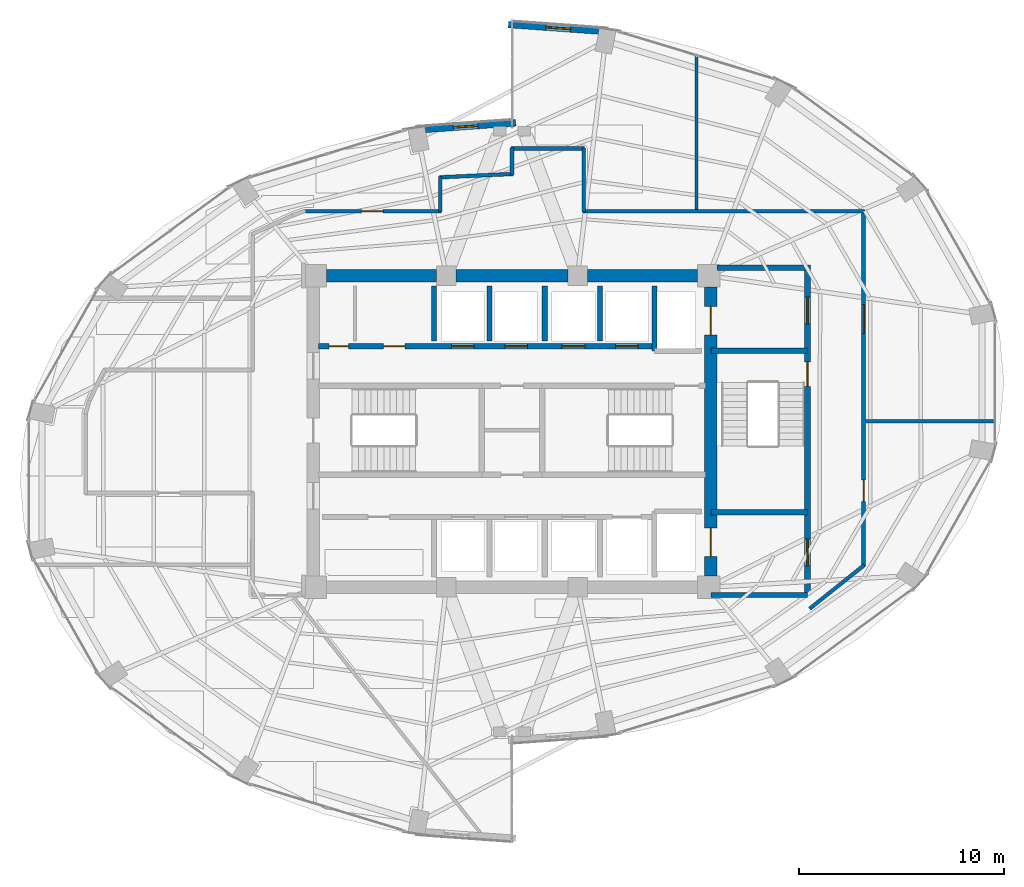
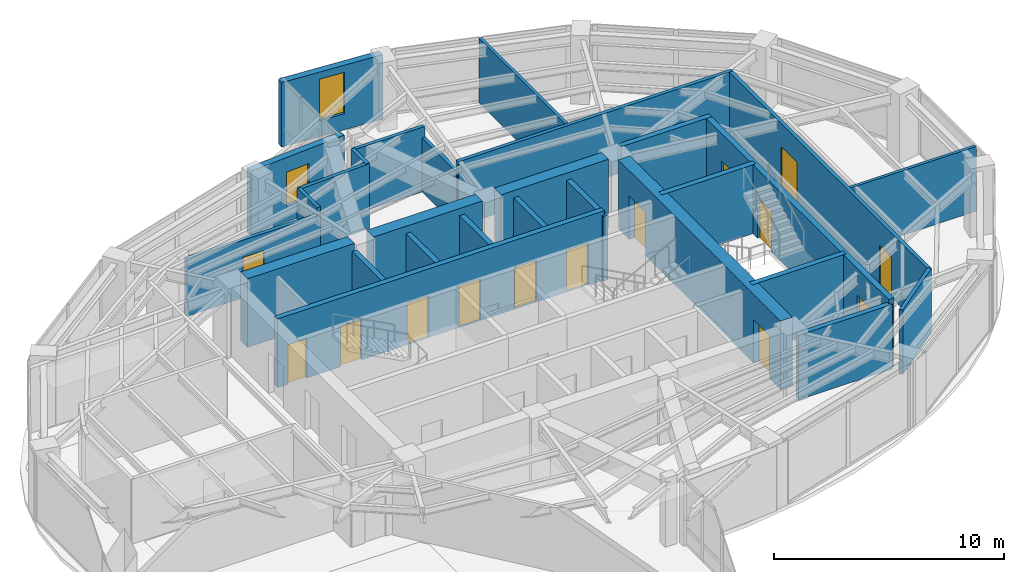
# One storey, part 17 of 20: 28 walls, 14 doors, 2 windows, 16 openings.
"""IFC4 building model written with IfcOpenShell, lengths in metres."""

from ifc_helpers import new_model, si_unit, direction, frame, frame_2d, origin, place, context, subcontext, project, spatial, rectangle, extrude, material, layer, layer_set, type_object, element, fill, save


model = new_model("IFC4")

# Units and contexts
model_context = context("Model", 3, precision=1e-05, world=origin(), true_north=direction((0.0, 1.0)))
body_context = subcontext(model_context, "Body", "Model", "MODEL_VIEW")
ifc_project = project(units=[si_unit("LENGTHUNIT", "METRE"), si_unit("AREAUNIT", "SQUARE_METRE"), si_unit("VOLUMEUNIT", "CUBIC_METRE"), si_unit("PLANEANGLEUNIT", "RADIAN"), si_unit("MASSUNIT", "GRAM", prefix="KILO")], contexts=[model_context])

# Site, building, storey
site_placement = place(None, origin())
site = spatial("IfcSite", under=ifc_project, at=site_placement, CompositionType="ELEMENT")
building_placement = place(site_placement, origin())
building = spatial("IfcBuilding", under=site, at=building_placement, Name="Lazwardi Medical Tower", CompositionType="ELEMENT")
storey_placement = place(building_placement, frame((0.0, 0.0, 152.8798828125)))
storey = spatial("IfcBuildingStorey", under=building, at=storey_placement, Name="L39", CompositionType="ELEMENT", Elevation=152.8798828125)

# Wall, opening, door
ifc_material_1 = material(Name="Fire-rated gypsum board on steel stud", Category="steel")
ifc_layer_1 = layer(ifc_material_1, 0.179931640625)
ifc_layer_set_1 = layer_set([ifc_layer_1], Name="Fire-rated gypsum board on steel stud")
wall_type_1 = type_object("IfcWallType", Name="WL-COR-180", PredefinedType="PARTITIONING", material=ifc_layer_set_1)
wall_1_placement = place(storey_placement, frame((25.842529296875, 38.75, 0.0), z_axis=(0.0, 0.0, 1.0), x_axis=(1.0, 0.0, 0.0)))
wall_1 = element("IfcWall", 1, at=wall_1_placement, inside=storey, type_object=wall_type_1, Name="L39 Corridor partition 6", PredefinedType="PARTITIONING", context=body_context, shape_type="SweptSolid", body=[
    extrude(rectangle(XDim=6.697509765625, YDim=0.179931640625, at=frame_2d((3.3486328125, 0.0))), origin(), (0.0, 0.0, 1.0), 3.05322265625),
])
opening_1_placement = place(wall_1_placement, frame((2.82373046875, 0.0, 0.0)))
opening_1 = element("IfcOpeningElement", 2, at=opening_1_placement, cuts=wall_1, Name="Opening D-L39-014", PredefinedType="OPENING", context=body_context, shape_type="SweptSolid", body=[
    extrude(rectangle(XDim=1.050048828125, YDim=2.14990234375, at=frame_2d((0.52490234375, 1.074951171875))), frame((0.0, 0.099853515625, 0.0), z_axis=(0.0, -1.0, 0.0), x_axis=(1.0, 0.0, 0.0)), (0.0, 0.0, 1.0), 0.199951171875),
])
ifc_material_2 = material(Name="Anti-microbial laminate hospital leaf")
door_type_1 = type_object("IfcDoorType", Name="DR-CLN-1050", OperationType="NOTDEFINED", PredefinedType="DOOR", material=ifc_material_2)
door_1_placement = place(opening_1_placement, origin())
door_1 = element("IfcDoor", 3, at=door_1_placement, inside=storey, type_object=door_type_1, Name="L39 Outpatient Clinic Door 05", OperationType="SINGLE_SWING_LEFT", OverallHeight=2.14990234375, OverallWidth=1.050048828125, PredefinedType="DOOR", context=body_context, shape_type="SweptSolid", body=[
    extrude(rectangle(XDim=1.050048828125, YDim=2.14990234375, at=frame_2d((0.52490234375, 1.074951171875))), frame((0.0, 0.02490234375, 0.0), z_axis=(0.0, -1.0, 0.0), x_axis=(1.0, 0.0, 0.0)), (0.0, 0.0, 1.0), 0.050048828125),
])
fill(opening_1, door_1)

# Walls
wall_2_placement = place(storey_placement, frame((32.5, 38.7099609375, 0.0), z_axis=(0.0, 0.0, 1.0), x_axis=(0.0, 1.0, 0.0)))
element("IfcWall", 4, at=wall_2_placement, inside=storey, type_object=wall_type_1, Name="L39 Corridor partition 7", PredefinedType="PARTITIONING", context=body_context, shape_type="SweptSolid", body=[
    extrude(rectangle(XDim=1.729248046875, YDim=0.179931640625, at=frame_2d((0.86474609375, 0.0))), origin(), (0.0, 0.0, 1.0), 3.42822265625),
])
wall_3_placement = place(storey_placement, frame((32.4599609375, 40.3974609375, 0.0), z_axis=(0.0, 0.0, 1.0), x_axis=(0.998948498694, 0.045846449783, 0.0)))
element("IfcWall", 5, at=wall_3_placement, inside=storey, type_object=wall_type_1, Name="L39 Corridor partition 8", PredefinedType="PARTITIONING", context=body_context, shape_type="SweptSolid", body=[
    extrude(rectangle(XDim=3.583740234375, YDim=0.179931640625, at=frame_2d((1.7919921875, 0.0))), origin(), (0.0, 0.0, 1.0), 3.42822265625),
])
wall_4_placement = place(storey_placement, frame((36.0, 40.52001953125, 0.0), z_axis=(0.0, 0.0, 1.0), x_axis=(0.0, 1.0, 0.0)))
element("IfcWall", 6, at=wall_4_placement, inside=storey, type_object=wall_type_1, Name="L39 Corridor partition 9", PredefinedType="PARTITIONING", context=body_context, shape_type="SweptSolid", body=[
    extrude(rectangle(XDim=1.320068359375, YDim=0.179931640625, at=frame_2d((0.66015625, 0.0))), origin(), (0.0, 0.0, 1.0), 3.42822265625),
])
wall_5_placement = place(storey_placement, frame((35.9599609375, 41.800048828125, 0.0), z_axis=(0.0, 0.0, 1.0), x_axis=(1.0, 0.0, 0.0)))
element("IfcWall", 7, at=wall_5_placement, inside=storey, type_object=wall_type_1, Name="L39 Corridor partition 10", PredefinedType="PARTITIONING", context=body_context, shape_type="SweptSolid", body=[
    extrude(rectangle(XDim=3.580078125, YDim=0.179931640625, at=frame_2d((1.7900390625, 0.0))), origin(), (0.0, 0.0, 1.0), 3.42822265625),
])
wall_6_placement = place(storey_placement, frame((39.5, 41.840087890625, 0.0), z_axis=(0.0, 0.0, 1.0), x_axis=(0.0, -1.0, 0.0)))
element("IfcWall", 8, at=wall_6_placement, inside=storey, type_object=wall_type_1, Name="L39 Corridor partition 11", PredefinedType="PARTITIONING", context=body_context, shape_type="SweptSolid", body=[
    extrude(rectangle(XDim=3.130126953125, YDim=0.179931640625, at=frame_2d((1.56494140625, 0.0))), origin(), (0.0, 0.0, 1.0), 2.863037109375),
])
wall_7_placement = place(storey_placement, frame((39.4599609375, 38.75, 0.0), z_axis=(0.0, 0.0, 1.0), x_axis=(1.0, 0.0, 0.0)))
element("IfcWall", 9, at=wall_7_placement, inside=storey, type_object=wall_type_1, Name="L39 Corridor partition 12", PredefinedType="PARTITIONING", context=body_context, shape_type="SweptSolid", body=[
    extrude(rectangle(XDim=13.72998046875, YDim=0.179931640625, at=frame_2d((6.864990234375, 0.0))), origin(), (0.0, 0.0, 1.0), 3.42822265625),
])

# Wall, openings, doors
wall_8_placement = place(storey_placement, frame((53.14990234375, 38.7900390625, 0.0), z_axis=(0.0, 0.0, 1.0), x_axis=(0.0, -1.0, 0.0)))
wall_8 = element("IfcWall", 10, at=wall_8_placement, inside=storey, type_object=wall_type_1, Name="L39 Corridor partition 13", PredefinedType="PARTITIONING", context=body_context, shape_type="SweptSolid", body=[
    extrude(rectangle(XDim=17.374267578125, YDim=0.179931640625, at=frame_2d((8.68701171875, 0.0))), origin(), (0.0, 0.0, 1.0), 3.42822265625),
])
opening_2_placement = place(wall_8_placement, frame((13.148193359375, 0.0, 0.0)))
opening_2 = element("IfcOpeningElement", 11, at=opening_2_placement, cuts=wall_8, Name="Opening D-L39-012", PredefinedType="OPENING", context=body_context, shape_type="SweptSolid", body=[
    extrude(rectangle(XDim=1.050048828125, YDim=2.14990234375, at=frame_2d((0.52490234375, 1.074951171875))), frame((0.0, 0.099853515625, 0.0), z_axis=(0.0, -1.0, 0.0), x_axis=(1.0, 0.0, 0.0)), (0.0, 0.0, 1.0), 0.199951171875),
])
opening_3_placement = place(wall_8_placement, frame((4.60400390625, 0.0, 0.0)))
opening_3 = element("IfcOpeningElement", 12, at=opening_3_placement, cuts=wall_8, Name="Opening D-L39-013", PredefinedType="OPENING", context=body_context, shape_type="SweptSolid", body=[
    extrude(rectangle(XDim=1.39990234375, YDim=2.199951171875, at=frame_2d((0.699951171875, 1.10009765625))), frame((0.0, 0.099853515625, 0.0), z_axis=(0.0, -1.0, 0.0), x_axis=(1.0, 0.0, 0.0)), (0.0, 0.0, 1.0), 0.199951171875),
])
door_type_2 = type_object("IfcDoorType", Name="DR-BED-1400", OperationType="NOTDEFINED", PredefinedType="DOOR", material=ifc_material_2)
door_2_placement = place(opening_3_placement, origin())
door_2 = element("IfcDoor", 13, at=door_2_placement, inside=storey, type_object=door_type_2, Name="L39 Inpatient Ward Door 04", OperationType="SINGLE_SWING_RIGHT", OverallHeight=2.199951171875, OverallWidth=1.39990234375, PredefinedType="DOOR", context=body_context, shape_type="SweptSolid", body=[
    extrude(rectangle(XDim=1.39990234375, YDim=2.199951171875, at=frame_2d((0.699951171875, 1.10009765625))), frame((0.0, 0.02490234375, 0.0), z_axis=(0.0, -1.0, 0.0), x_axis=(1.0, 0.0, 0.0)), (0.0, 0.0, 1.0), 0.050048828125),
])
fill(opening_3, door_2)
door_3_placement = place(opening_2_placement, origin())
door_3 = element("IfcDoor", 14, at=door_3_placement, inside=storey, type_object=door_type_1, Name="L39 Clinical Specialist Office Door 03", OperationType="SINGLE_SWING_LEFT", OverallHeight=2.14990234375, OverallWidth=1.050048828125, PredefinedType="DOOR", context=body_context, shape_type="SweptSolid", body=[
    extrude(rectangle(XDim=1.050048828125, YDim=2.14990234375, at=frame_2d((0.52490234375, 1.074951171875))), frame((0.0, 0.02490234375, 0.0), z_axis=(0.0, -1.0, 0.0), x_axis=(1.0, 0.0, 0.0)), (0.0, 0.0, 1.0), 0.050048828125),
])
fill(opening_2, door_3)

# Wall
wall_9_placement = place(storey_placement, frame((53.181396484375, 21.480712890625, 0.0), z_axis=(0.0, 0.0, 1.0), x_axis=(-0.781420737726, -0.624004511724, 0.0)))
element("IfcWall", 15, at=wall_9_placement, inside=storey, type_object=wall_type_1, Name="L39 Corridor partition 14", PredefinedType="PARTITIONING", context=body_context, shape_type="SweptSolid", body=[
    extrude(rectangle(XDim=3.407470703125, YDim=0.179931640625, at=frame_2d((1.70361328125, 0.0))), origin(), (0.0, 0.0, 1.0), 3.42822265625),
])

# Wall, openings, doors
ifc_material_3 = material(Name="Concrete C60/75", Category="concrete")
ifc_layer_2 = layer(ifc_material_3, 0.60009765625)
ifc_layer_set_2 = layer_set([ifc_layer_2], Name="Concrete C60/75")
wall_type_2 = type_object("IfcWallType", Name="WL-CORE-600", PredefinedType="SHEAR", material=ifc_layer_set_2)
wall_10_placement = place(storey_placement, frame((45.699951171875, 20.949951171875, 0.0), z_axis=(0.0, 0.0, 1.0), x_axis=(0.0, 1.0, 0.0)))
wall_10 = element("IfcWall", 16, at=wall_10_placement, inside=storey, type_object=wall_type_2, Name="Core wall CW-S3 east L39", PredefinedType="SHEAR", context=body_context, shape_type="SweptSolid", body=[
    extrude(rectangle(XDim=14.10009765625, YDim=0.60009765625, at=frame_2d((7.050048828125, 0.0))), origin(), (0.0, 0.0, 1.0), 3.648193359375),
])
opening_4_placement = place(wall_10_placement, frame((11.75, 0.0, 0.0)))
opening_4 = element("IfcOpeningElement", 17, at=opening_4_placement, cuts=wall_10, Name="Opening LD-L39-001", PredefinedType="OPENING", context=body_context, shape_type="SweptSolid", body=[
    extrude(rectangle(XDim=1.39990234375, YDim=2.300048828125, at=frame_2d((0.699951171875, 1.14990234375))), frame((0.0, 0.31005859375, 0.0), z_axis=(0.0, -1.0, 0.0), x_axis=(1.0, 0.0, 0.0)), (0.0, 0.0, 1.0), 0.6201171875),
])
opening_5_placement = place(wall_10_placement, frame((0.949951171875, 0.0, 0.0)))
opening_5 = element("IfcOpeningElement", 18, at=opening_5_placement, cuts=wall_10, Name="Opening LD-L39-002", PredefinedType="OPENING", context=body_context, shape_type="SweptSolid", body=[
    extrude(rectangle(XDim=1.39990234375, YDim=2.300048828125, at=frame_2d((0.699951171875, 1.14990234375))), frame((0.0, 0.31005859375, 0.0), z_axis=(0.0, -1.0, 0.0), x_axis=(1.0, 0.0, 0.0)), (0.0, 0.0, 1.0), 0.6201171875),
])
ifc_material_4 = material(Name="Brushed stainless steel bed-lift landing door", Category="steel")
door_type_3 = type_object("IfcDoorType", Name="DR-LFT-1400", OperationType="NOTDEFINED", PredefinedType="DOOR", material=ifc_material_4)
door_4_placement = place(opening_4_placement, origin())
door_4 = element("IfcDoor", 19, at=door_4_placement, inside=storey, type_object=door_type_3, Name="L39 Lift Landing Door FL-01", OperationType="SLIDING_TO_LEFT", OverallHeight=2.300048828125, OverallWidth=1.39990234375, PredefinedType="DOOR", context=body_context, shape_type="SweptSolid", body=[
    extrude(rectangle(XDim=1.39990234375, YDim=2.300048828125, at=frame_2d((0.699951171875, 1.14990234375))), frame((0.0, 0.02490234375, 0.0), z_axis=(0.0, -1.0, 0.0), x_axis=(1.0, 0.0, 0.0)), (0.0, 0.0, 1.0), 0.050048828125),
])
fill(opening_4, door_4)
door_5_placement = place(opening_5_placement, origin())
door_5 = element("IfcDoor", 20, at=door_5_placement, inside=storey, type_object=door_type_3, Name="L39 Lift Landing Door FL-02", OperationType="SLIDING_TO_LEFT", OverallHeight=2.300048828125, OverallWidth=1.39990234375, PredefinedType="DOOR", context=body_context, shape_type="SweptSolid", body=[
    extrude(rectangle(XDim=1.39990234375, YDim=2.300048828125, at=frame_2d((0.699951171875, 1.14990234375))), frame((0.0, 0.02490234375, 0.0), z_axis=(0.0, -1.0, 0.0), x_axis=(1.0, 0.0, 0.0)), (0.0, 0.0, 1.0), 0.050048828125),
])
fill(opening_5, door_5)

# Walls
wall_11_placement = place(storey_placement, frame((26.949951171875, 35.60009765625, 0.0), z_axis=(0.0, 0.0, 1.0), x_axis=(1.0, 0.0, 0.0)))
element("IfcWall", 21, at=wall_11_placement, inside=storey, type_object=wall_type_2, Name="Core wall CW-S3 N1 L39", PredefinedType="SHEAR", context=body_context, shape_type="SweptSolid", body=[
    extrude(rectangle(XDim=5.375, YDim=0.60009765625, at=frame_2d((2.6875, 0.0))), origin(), (0.0, 0.0, 1.0), 3.648193359375),
])
wall_12_placement = place(storey_placement, frame((33.27490234375, 35.60009765625, 0.0), z_axis=(0.0, 0.0, 1.0), x_axis=(1.0, 0.0, 0.0)))
element("IfcWall", 22, at=wall_12_placement, inside=storey, type_object=wall_type_2, Name="Core wall CW-S3 N2 L39", PredefinedType="SHEAR", context=body_context, shape_type="SweptSolid", body=[
    extrude(rectangle(XDim=5.4501953125, YDim=0.60009765625, at=frame_2d((2.72509765625, 0.0))), origin(), (0.0, 0.0, 1.0), 3.648193359375),
])
wall_13_placement = place(storey_placement, frame((39.675048828125, 35.60009765625, 0.0), z_axis=(0.0, 0.0, 1.0), x_axis=(1.0, 0.0, 0.0)))
element("IfcWall", 23, at=wall_13_placement, inside=storey, type_object=wall_type_2, Name="Core wall CW-S3 N3 L39", PredefinedType="SHEAR", context=body_context, shape_type="SweptSolid", body=[
    extrude(rectangle(XDim=5.375, YDim=0.60009765625, at=frame_2d((2.6875, 0.0))), origin(), (0.0, 0.0, 1.0), 3.648193359375),
])

# Wall, opening, window
ifc_material_5 = material(Name="Precast concrete C45/55", Category="concrete")
ifc_layer_3 = layer(ifc_material_5, 0.320068359375)
ifc_layer_set_3 = layer_set([ifc_layer_3], Name="Precast concrete C45/55")
wall_type_3 = type_object("IfcWallType", Name="WL-IWAN-320", PredefinedType="SOLIDWALL", material=ifc_layer_set_3)
wall_14_placement = place(storey_placement, frame((40.700927734375, 47.501220703125, 0.0), z_axis=(0.0, 0.0, 1.0), x_axis=(-0.997415460462, 0.071849838072, 0.0)))
wall_14 = element("IfcWall", 24, at=wall_14_placement, inside=storey, type_object=wall_type_3, Name="L39 Iwan Portal Return Wall NE_ret", PredefinedType="SOLIDWALL", context=body_context, shape_type="SweptSolid", body=[
    extrude(rectangle(XDim=4.89306640625, YDim=0.320068359375, at=frame_2d((2.446533203125, 0.0))), origin(), (0.0, 0.0, 1.0), 3.42822265625),
])
opening_6_placement = place(wall_14_placement, frame((1.846435546875, 0.0, 0.85009765625)))
opening_6 = element("IfcOpeningElement", 25, at=opening_6_placement, cuts=wall_14, Name="Opening WN-01", PredefinedType="OPENING", context=body_context, shape_type="SweptSolid", body=[
    extrude(rectangle(XDim=1.199951171875, YDim=2.199951171875, at=frame_2d((0.60009765625, 1.10009765625))), frame((0.0, 0.169921875, 0.0), z_axis=(0.0, -1.0, 0.0), x_axis=(1.0, 0.0, 0.0)), (0.0, 0.0, 1.0), 0.340087890625),
])
ifc_material_6 = material(Name="Low-e bronze solar control double glazing", Category="glass")
window_type_1 = type_object("IfcWindowType", Name="WIN-IW-1200", PartitioningType="SINGLE_PANEL", PredefinedType="WINDOW", material=ifc_material_6)
window_1_placement = place(opening_6_placement, origin())
window_1 = element("IfcWindow", 26, at=window_1_placement, inside=storey, type_object=window_type_1, Name="L39 Iwan Slot Window NE_ret", OverallHeight=2.199951171875, OverallWidth=1.199951171875, PartitioningType="SINGLE_PANEL", PredefinedType="WINDOW", context=body_context, shape_type="SweptSolid", body=[
    extrude(rectangle(XDim=1.199951171875, YDim=2.199951171875, at=frame_2d((0.60009765625, 1.10009765625))), frame((0.0, 0.030029296875, 0.0), z_axis=(0.0, -1.0, 0.0), x_axis=(1.0, 0.0, 0.0)), (0.0, 0.0, 1.0), 0.06005859375),
])
fill(opening_6, window_1)

wall_15_placement = place(storey_placement, frame((36.17919921875, 43.052978515625, 0.0), z_axis=(0.0, 0.0, 1.0), x_axis=(-0.997415202861, -0.071853413984, 0.0)))
wall_15 = element("IfcWall", 27, at=wall_15_placement, inside=storey, type_object=wall_type_3, Name="L39 Iwan Portal Return Wall NW_ret", PredefinedType="SOLIDWALL", context=body_context, shape_type="SweptSolid", body=[
    extrude(rectangle(XDim=4.892822265625, YDim=0.320068359375, at=frame_2d((2.4462890625, 0.0))), origin(), (0.0, 0.0, 1.0), 3.42822265625),
])
opening_7_placement = place(wall_15_placement, frame((1.84619140625, 0.0, 0.85009765625)))
opening_7 = element("IfcOpeningElement", 28, at=opening_7_placement, cuts=wall_15, Name="Opening WN-04", PredefinedType="OPENING", context=body_context, shape_type="SweptSolid", body=[
    extrude(rectangle(XDim=1.199951171875, YDim=1.800048828125, at=frame_2d((0.60009765625, 0.89990234375))), frame((0.0, 0.169921875, 0.0), z_axis=(0.0, -1.0, 0.0), x_axis=(1.0, 0.0, 0.0)), (0.0, 0.0, 1.0), 0.340087890625),
])
window_type_2 = type_object("IfcWindowType", Name="WIN-DRUM-1200", PartitioningType="SINGLE_PANEL", PredefinedType="WINDOW", material=ifc_material_6)
window_2_placement = place(opening_7_placement, origin())
window_2 = element("IfcWindow", 29, at=window_2_placement, inside=storey, type_object=window_type_2, Name="L39 Iwan Slot Window NW_ret", OverallHeight=1.800048828125, OverallWidth=1.199951171875, PartitioningType="SINGLE_PANEL", PredefinedType="WINDOW", context=body_context, shape_type="SweptSolid", body=[
    extrude(rectangle(XDim=1.199951171875, YDim=1.800048828125, at=frame_2d((0.60009765625, 0.89990234375))), frame((0.0, 0.030029296875, 0.0), z_axis=(0.0, -1.0, 0.0), x_axis=(1.0, 0.0, 0.0)), (0.0, 0.0, 1.0), 0.06005859375),
])
fill(opening_7, window_2)

# Walls
ifc_material_7 = material(Name="Autoclaved aerated concrete blockwork", Category="masonry")
ifc_layer_4 = layer(ifc_material_7, 0.25)
ifc_layer_set_4 = layer_set([ifc_layer_4], Name="Autoclaved aerated concrete blockwork")
wall_type_4 = type_object("IfcWallType", Name="WL-SHAFT-250", PredefinedType="SOLIDWALL", material=ifc_layer_set_4)
wall_16_placement = place(storey_placement, frame((42.949951171875, 31.919921875, 0.0), z_axis=(0.0, 0.0, 1.0), x_axis=(0.0, 1.0, 0.0)))
element("IfcWall", 30, at=wall_16_placement, inside=storey, type_object=wall_type_4, Name="L39 FL-01 West shaft wall", PredefinedType="SOLIDWALL", context=body_context, shape_type="SweptSolid", body=[
    extrude(rectangle(XDim=3.18017578125, YDim=0.25, at=frame_2d((1.590087890625, 0.0))), origin(), (0.0, 0.0, 1.0), 3.42822265625),
])
for number, where, z_axis, x_axis, name in (
    (31, (32.199951171875, 32.419921875, 0.0), (0.0, 0.0, 1.0), (0.0, 1.0, 0.0), "L39 North hoistway divider"),
    (32, (34.89990234375, 32.419921875, 0.0), (0.0, 0.0, 1.0), (0.0, 1.0, 0.0), "L39 North hoistway divider"),
    (33, (37.60009765625, 32.419921875, 0.0), (0.0, 0.0, 1.0), (0.0, 1.0, 0.0), "L39 North hoistway divider"),
    (34, (40.300048828125, 32.419921875, 0.0), (0.0, 0.0, 1.0), (0.0, 1.0, 0.0), "L39 North hoistway divider"),
):
    element("IfcWall", number, at=place(storey_placement, frame(where, z_axis=z_axis, x_axis=x_axis)), inside=storey, type_object=wall_type_4, Name=name, PredefinedType="SOLIDWALL", context=body_context, shape_type="SweptSolid", body=[
        extrude(rectangle(XDim=2.68017578125, YDim=0.25, at=frame_2d((1.340087890625, 0.0))), origin(), (0.0, 0.0, 1.0), 3.42822265625),
    ])
wall_17_placement = place(storey_placement, frame((45.699951171875, 20.02001953125, 0.0), z_axis=(0.0, 0.0, 1.0), x_axis=(1.0, 0.0, 0.0)))
element("IfcWall", 35, at=wall_17_placement, inside=storey, type_object=wall_type_4, Name="L39 FFL-S South wall", PredefinedType="SOLIDWALL", context=body_context, shape_type="SweptSolid", body=[
    extrude(rectangle(XDim=4.715087890625, YDim=0.25, at=frame_2d((2.357421875, 0.0))), origin(), (0.0, 0.0, 1.0), 3.42822265625),
])

# Wall, openings, doors
ifc_material_8 = material(Name="Concrete C50/60", Category="concrete")
ifc_layer_5 = layer(ifc_material_8, 0.27001953125)
ifc_layer_set_5 = layer_set([ifc_layer_5], Name="Concrete C50/60")
wall_type_5 = type_object("IfcWallType", Name="WL-STR-250", PredefinedType="SHEAR", material=ifc_layer_set_5)
wall_18_placement = place(storey_placement, frame((26.550048828125, 32.14990234375, 0.0), z_axis=(0.0, 0.0, 1.0), x_axis=(1.0, 0.0, 0.0)))
wall_18 = element("IfcWall", 36, at=wall_18_placement, inside=storey, type_object=wall_type_5, Name="L39 North lift bank shear wall SW-S1", PredefinedType="SHEAR", context=body_context, shape_type="SweptSolid", body=[
    extrude(rectangle(XDim=16.39990234375, YDim=0.27001953125, at=frame_2d((8.199951171875, 0.0))), origin(), (0.0, 0.0, 1.0), 3.648193359375),
])
opening_8_placement = place(wall_18_placement, frame((0.52490234375, 0.0, 0.0)))
opening_8 = element("IfcOpeningElement", 37, at=opening_8_placement, cuts=wall_18, Name="Opening D-L39-003", PredefinedType="OPENING", context=body_context, shape_type="SweptSolid", body=[
    extrude(rectangle(XDim=0.949951171875, YDim=2.10009765625, at=frame_2d((0.47509765625, 1.050048828125))), frame((0.0, 0.14501953125, 0.0), z_axis=(0.0, -1.0, 0.0), x_axis=(1.0, 0.0, 0.0)), (0.0, 0.0, 1.0), 0.2900390625),
])
opening_9_placement = place(wall_18_placement, frame((3.175048828125, 0.0, 0.0)))
opening_9 = element("IfcOpeningElement", 38, at=opening_9_placement, cuts=wall_18, Name="Opening D-L39-004", PredefinedType="OPENING", context=body_context, shape_type="SweptSolid", body=[
    extrude(rectangle(XDim=1.050048828125, YDim=2.14990234375, at=frame_2d((0.52490234375, 1.074951171875))), frame((0.0, 0.14501953125, 0.0), z_axis=(0.0, -1.0, 0.0), x_axis=(1.0, 0.0, 0.0)), (0.0, 0.0, 1.0), 0.2900390625),
])
opening_10_placement = place(wall_18_placement, frame((6.5, 0.0, 0.0)))
opening_10 = element("IfcOpeningElement", 39, at=opening_10_placement, cuts=wall_18, Name="Opening LD-L39-004", PredefinedType="OPENING", context=body_context, shape_type="SweptSolid", body=[
    extrude(rectangle(XDim=1.10009765625, YDim=2.199951171875, at=frame_2d((0.550048828125, 1.10009765625))), frame((0.0, 0.14501953125, 0.0), z_axis=(0.0, -1.0, 0.0), x_axis=(1.0, 0.0, 0.0)), (0.0, 0.0, 1.0), 0.2900390625),
])
opening_11_placement = place(wall_18_placement, frame((9.10009765625, 0.0, 0.0)))
opening_11 = element("IfcOpeningElement", 40, at=opening_11_placement, cuts=wall_18, Name="Opening LD-L39-005", PredefinedType="OPENING", context=body_context, shape_type="SweptSolid", body=[
    extrude(rectangle(XDim=1.10009765625, YDim=2.199951171875, at=frame_2d((0.550048828125, 1.10009765625))), frame((0.0, 0.14501953125, 0.0), z_axis=(0.0, -1.0, 0.0), x_axis=(1.0, 0.0, 0.0)), (0.0, 0.0, 1.0), 0.2900390625),
])
opening_12_placement = place(wall_18_placement, frame((11.89990234375, 0.0, 0.0)))
opening_12 = element("IfcOpeningElement", 41, at=opening_12_placement, cuts=wall_18, Name="Opening LD-L39-008", PredefinedType="OPENING", context=body_context, shape_type="SweptSolid", body=[
    extrude(rectangle(XDim=1.10009765625, YDim=2.199951171875, at=frame_2d((0.550048828125, 1.10009765625))), frame((0.0, 0.14501953125, 0.0), z_axis=(0.0, -1.0, 0.0), x_axis=(1.0, 0.0, 0.0)), (0.0, 0.0, 1.0), 0.2900390625),
])
opening_13_placement = place(wall_18_placement, frame((14.5, 0.0, 0.0)))
opening_13 = element("IfcOpeningElement", 42, at=opening_13_placement, cuts=wall_18, Name="Opening LD-L39-009", PredefinedType="OPENING", context=body_context, shape_type="SweptSolid", body=[
    extrude(rectangle(XDim=1.10009765625, YDim=2.199951171875, at=frame_2d((0.550048828125, 1.10009765625))), frame((0.0, 0.14501953125, 0.0), z_axis=(0.0, -1.0, 0.0), x_axis=(1.0, 0.0, 0.0)), (0.0, 0.0, 1.0), 0.2900390625),
])
door_6_placement = place(opening_9_placement, origin())
door_6 = element("IfcDoor", 43, at=door_6_placement, inside=storey, type_object=door_type_1, Name="L39 Telemedicine Door", OperationType="SINGLE_SWING_RIGHT", OverallHeight=2.14990234375, OverallWidth=1.050048828125, PredefinedType="DOOR", context=body_context, shape_type="SweptSolid", body=[
    extrude(rectangle(XDim=1.050048828125, YDim=2.14990234375, at=frame_2d((0.52490234375, 1.074951171875))), frame((0.0, 0.02490234375, 0.0), z_axis=(0.0, -1.0, 0.0), x_axis=(1.0, 0.0, 0.0)), (0.0, 0.0, 1.0), 0.050048828125),
])
fill(opening_9, door_6)
ifc_material_9 = material(Name="Moisture-resistant laminate door leaf")
door_type_4 = type_object("IfcDoorType", Name="DR-ENS-950", OperationType="NOTDEFINED", PredefinedType="DOOR", material=ifc_material_9)
door_7_placement = place(opening_8_placement, origin())
door_7 = element("IfcDoor", 44, at=door_7_placement, inside=storey, type_object=door_type_4, Name="L39 Core Staff WC Door", OperationType="SINGLE_SWING_LEFT", OverallHeight=2.10009765625, OverallWidth=0.949951171875, PredefinedType="DOOR", context=body_context, shape_type="SweptSolid", body=[
    extrude(rectangle(XDim=0.949951171875, YDim=2.10009765625, at=frame_2d((0.47509765625, 1.050048828125))), frame((0.0, 0.02490234375, 0.0), z_axis=(0.0, -1.0, 0.0), x_axis=(1.0, 0.0, 0.0)), (0.0, 0.0, 1.0), 0.050048828125),
])
fill(opening_8, door_7)
ifc_material_10 = material(Name="Brushed bronze stainless steel landing door", Category="steel")
door_type_5 = type_object("IfcDoorType", Name="DR-LFT-1100", OperationType="NOTDEFINED", PredefinedType="DOOR", material=ifc_material_10)
door_8_placement = place(opening_10_placement, origin())
door_8 = element("IfcDoor", 45, at=door_8_placement, inside=storey, type_object=door_type_5, Name="L39 Lift Landing Door PL-05", OperationType="SLIDING_TO_LEFT", OverallHeight=2.199951171875, OverallWidth=1.10009765625, PredefinedType="DOOR", context=body_context, shape_type="SweptSolid", body=[
    extrude(rectangle(XDim=1.10009765625, YDim=2.199951171875, at=frame_2d((0.550048828125, 1.10009765625))), frame((0.0, 0.02490234375, 0.0), z_axis=(0.0, -1.0, 0.0), x_axis=(1.0, 0.0, 0.0)), (0.0, 0.0, 1.0), 0.050048828125),
])
fill(opening_10, door_8)
door_9_placement = place(opening_11_placement, origin())
door_9 = element("IfcDoor", 46, at=door_9_placement, inside=storey, type_object=door_type_5, Name="L39 Lift Landing Door PL-06", OperationType="SLIDING_TO_LEFT", OverallHeight=2.199951171875, OverallWidth=1.10009765625, PredefinedType="DOOR", context=body_context, shape_type="SweptSolid", body=[
    extrude(rectangle(XDim=1.10009765625, YDim=2.199951171875, at=frame_2d((0.550048828125, 1.10009765625))), frame((0.0, 0.02490234375, 0.0), z_axis=(0.0, -1.0, 0.0), x_axis=(1.0, 0.0, 0.0)), (0.0, 0.0, 1.0), 0.050048828125),
])
fill(opening_11, door_9)
door_10_placement = place(opening_12_placement, origin())
door_10 = element("IfcDoor", 47, at=door_10_placement, inside=storey, type_object=door_type_5, Name="L39 Lift Landing Door PL-09", OperationType="SLIDING_TO_LEFT", OverallHeight=2.199951171875, OverallWidth=1.10009765625, PredefinedType="DOOR", context=body_context, shape_type="SweptSolid", body=[
    extrude(rectangle(XDim=1.10009765625, YDim=2.199951171875, at=frame_2d((0.550048828125, 1.10009765625))), frame((0.0, 0.02490234375, 0.0), z_axis=(0.0, -1.0, 0.0), x_axis=(1.0, 0.0, 0.0)), (0.0, 0.0, 1.0), 0.050048828125),
])
fill(opening_12, door_10)
door_11_placement = place(opening_13_placement, origin())
door_11 = element("IfcDoor", 48, at=door_11_placement, inside=storey, type_object=door_type_5, Name="L39 Lift Landing Door PL-10", OperationType="SLIDING_TO_LEFT", OverallHeight=2.199951171875, OverallWidth=1.10009765625, PredefinedType="DOOR", context=body_context, shape_type="SweptSolid", body=[
    extrude(rectangle(XDim=1.10009765625, YDim=2.199951171875, at=frame_2d((0.550048828125, 1.10009765625))), frame((0.0, 0.02490234375, 0.0), z_axis=(0.0, -1.0, 0.0), x_axis=(1.0, 0.0, 0.0)), (0.0, 0.0, 1.0), 0.050048828125),
])
fill(opening_13, door_11)

wall_19_placement = place(storey_placement, frame((50.4150390625, 35.844970703125, 0.0), z_axis=(0.0, 0.0, 1.0), x_axis=(0.0, -1.0, 0.0)))
wall_19 = element("IfcWall", 49, at=wall_19_placement, inside=storey, type_object=wall_type_5, Name="L39 East ST3 & FFL shear wall SW-S1", PredefinedType="SHEAR", context=body_context, shape_type="SweptSolid", body=[
    extrude(rectangle(XDim=15.824951171875, YDim=0.27001953125, at=frame_2d((7.91259765625, 0.0))), origin(), (0.0, 0.0, 1.0), 3.648193359375),
])
opening_14_placement = place(wall_19_placement, frame((4.445068359375, 0.0, 0.0)))
opening_14 = element("IfcOpeningElement", 50, at=opening_14_placement, cuts=wall_19, Name="Opening D-L39-017", PredefinedType="OPENING", context=body_context, shape_type="SweptSolid", body=[
    extrude(rectangle(XDim=1.199951171875, YDim=2.14990234375, at=frame_2d((0.60009765625, 1.074951171875))), frame((0.0, 0.14501953125, 0.0), z_axis=(0.0, -1.0, 0.0), x_axis=(1.0, 0.0, 0.0)), (0.0, 0.0, 1.0), 0.2900390625),
])
opening_15_placement = place(wall_19_placement, frame((1.294921875, 0.0, 0.0)))
opening_15 = element("IfcOpeningElement", 51, at=opening_15_placement, cuts=wall_19, Name="Opening D-L39-006", PredefinedType="OPENING", context=body_context, shape_type="SweptSolid", body=[
    extrude(rectangle(XDim=1.300048828125, YDim=2.199951171875, at=frame_2d((0.64990234375, 1.10009765625))), frame((0.0, 0.14501953125, 0.0), z_axis=(0.0, -1.0, 0.0), x_axis=(1.0, 0.0, 0.0)), (0.0, 0.0, 1.0), 0.2900390625),
])
opening_16_placement = place(wall_19_placement, frame((13.094970703125, 0.0, 0.0)))
opening_16 = element("IfcOpeningElement", 52, at=opening_16_placement, cuts=wall_19, Name="Opening D-L39-007", PredefinedType="OPENING", context=body_context, shape_type="SweptSolid", body=[
    extrude(rectangle(XDim=1.300048828125, YDim=2.199951171875, at=frame_2d((0.64990234375, 1.10009765625))), frame((0.0, 0.14501953125, 0.0), z_axis=(0.0, -1.0, 0.0), x_axis=(1.0, 0.0, 0.0)), (0.0, 0.0, 1.0), 0.2900390625),
])
ifc_material_11 = material(Name="Fire-rated steel leaf and frame", Category="steel")
door_type_6 = type_object("IfcDoorType", Name="DR-FFL-1300", OperationType="NOTDEFINED", PredefinedType="DOOR", material=ifc_material_11)
door_12_placement = place(opening_15_placement, origin())
door_12 = element("IfcDoor", 53, at=door_12_placement, inside=storey, type_object=door_type_6, Name="L39 Fire-Fighting Lobby North Door", OperationType="SINGLE_SWING_LEFT", OverallHeight=2.199951171875, OverallWidth=1.300048828125, PredefinedType="DOOR", context=body_context, shape_type="SweptSolid", body=[
    extrude(rectangle(XDim=1.300048828125, YDim=2.199951171875, at=frame_2d((0.64990234375, 1.10009765625))), frame((0.0, 0.02490234375, 0.0), z_axis=(0.0, -1.0, 0.0), x_axis=(1.0, 0.0, 0.0)), (0.0, 0.0, 1.0), 0.050048828125),
])
fill(opening_15, door_12)
door_13_placement = place(opening_16_placement, origin())
door_13 = element("IfcDoor", 54, at=door_13_placement, inside=storey, type_object=door_type_6, Name="L39 Fire-Fighting Lobby South Door", OperationType="SINGLE_SWING_RIGHT", OverallHeight=2.199951171875, OverallWidth=1.300048828125, PredefinedType="DOOR", context=body_context, shape_type="SweptSolid", body=[
    extrude(rectangle(XDim=1.300048828125, YDim=2.199951171875, at=frame_2d((0.64990234375, 1.10009765625))), frame((0.0, 0.02490234375, 0.0), z_axis=(0.0, -1.0, 0.0), x_axis=(1.0, 0.0, 0.0)), (0.0, 0.0, 1.0), 0.050048828125),
])
fill(opening_16, door_13)
door_type_7 = type_object("IfcDoorType", Name="DR-STR-1200", OperationType="NOTDEFINED", PredefinedType="DOOR", material=ifc_material_11)
door_14_placement = place(opening_14_placement, origin())
door_14 = element("IfcDoor", 55, at=door_14_placement, inside=storey, type_object=door_type_7, Name="L39 Exit Stair ST3 Door", OperationType="SINGLE_SWING_RIGHT", OverallHeight=2.14990234375, OverallWidth=1.199951171875, PredefinedType="DOOR", context=body_context, shape_type="SweptSolid", body=[
    extrude(rectangle(XDim=1.199951171875, YDim=2.14990234375, at=frame_2d((0.60009765625, 1.074951171875))), frame((0.0, 0.02490234375, 0.0), z_axis=(0.0, -1.0, 0.0), x_axis=(1.0, 0.0, 0.0)), (0.0, 0.0, 1.0), 0.050048828125),
])
fill(opening_14, door_14)

# Walls
wall_20_placement = place(storey_placement, frame((46.0, 35.97998046875, 0.0), z_axis=(0.0, 0.0, 1.0), x_axis=(1.0, 0.0, 0.0)))
element("IfcWall", 56, at=wall_20_placement, inside=storey, type_object=wall_type_5, Name="L39 FFL-N North shear wall SW-S1", PredefinedType="SHEAR", context=body_context, shape_type="SweptSolid", body=[
    extrude(rectangle(XDim=4.550048828125, YDim=0.27001953125, at=frame_2d((2.27490234375, 0.0))), origin(), (0.0, 0.0, 1.0), 3.648193359375),
])
for number, where, z_axis, x_axis, name in (
    (57, (45.699951171875, 31.93505859375, 0.0), (0.0, 0.0, 1.0), (1.0, 0.0, 0.0), "L39 ST3 North shear shaft wall SW-S1"),
    (58, (45.699951171875, 24.06494140625, 0.0), (0.0, 0.0, 1.0), (1.0, 0.0, 0.0), "L39 ST3 South shear shaft wall SW-S1"),
):
    element("IfcWall", number, at=place(storey_placement, frame(where, z_axis=z_axis, x_axis=x_axis)), inside=storey, type_object=wall_type_5, Name=name, PredefinedType="SHEAR", context=body_context, shape_type="SweptSolid", body=[
        extrude(rectangle(XDim=4.715087890625, YDim=0.27001953125, at=frame_2d((2.357421875, 0.0))), origin(), (0.0, 0.0, 1.0), 3.648193359375),
    ])
ifc_material_12 = material(Name="Acoustic gypsum board partition")
ifc_layer_6 = layer(ifc_material_12, 0.14990234375)
ifc_layer_set_6 = layer_set([ifc_layer_6], Name="Acoustic gypsum board partition")
wall_type_6 = type_object("IfcWallType", Name="WL-WRD-150", PredefinedType="PARTITIONING", material=ifc_layer_set_6)
wall_21_placement = place(storey_placement, frame((53.239990234375, 28.5, 0.0), z_axis=(0.0, 0.0, 1.0), x_axis=(1.0, 0.0, 0.0)))
element("IfcWall", 59, at=wall_21_placement, inside=storey, type_object=wall_type_6, Name="L39 Room partition 3", PredefinedType="PARTITIONING", context=body_context, shape_type="SweptSolid", body=[
    extrude(rectangle(XDim=6.30712890625, YDim=0.14990234375, at=frame_2d((3.153564453125, 0.0))), origin(), (0.0, 0.0, 1.0), 3.42822265625),
])
wall_22_placement = place(storey_placement, frame((45.0, 38.840087890625, 0.0), z_axis=(0.0, 0.0, 1.0), x_axis=(0.0, 1.0, 0.0)))
element("IfcWall", 60, at=wall_22_placement, inside=storey, type_object=wall_type_6, Name="L39 Room partition 4", PredefinedType="PARTITIONING", context=body_context, shape_type="SweptSolid", body=[
    extrude(rectangle(XDim=7.487548828125, YDim=0.14990234375, at=frame_2d((3.74365234375, 0.0))), origin(), (0.0, 0.0, 1.0), 3.42822265625),
])

save(model, "model.ifc")
